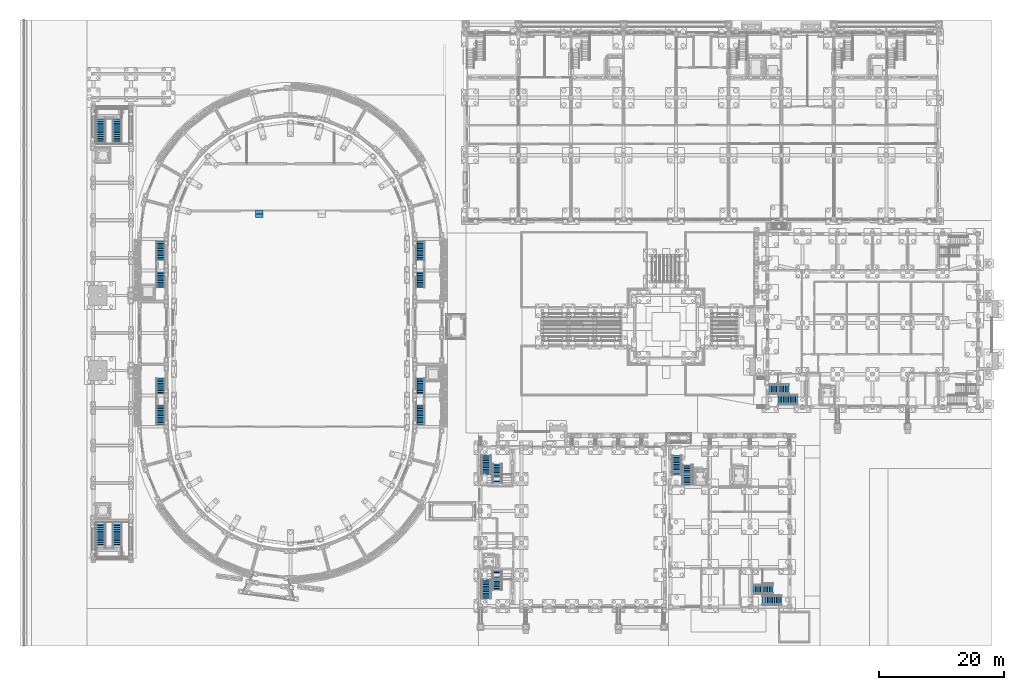
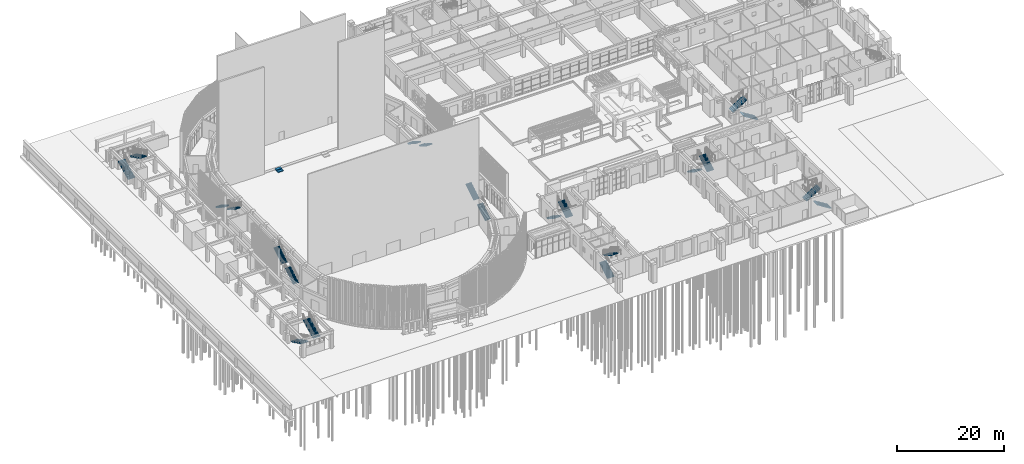
# One storey, part 79 of 112: 23 stair flights, 12 elements without a shape of their own.
"""IFC4 building model written with IfcOpenShell, lengths in metres."""

from ifc_helpers import new_model, si_unit, direction, frame, origin, place, context, subcontext, project, spatial, polyline, outline, extrude, material, type_object, element, aggregate, save


model = new_model("IFC4")

# Units and contexts
model_context = context("Model", 3, precision=1e-05, world=origin(), true_north=direction((0.0, 1.0)))
body_context = subcontext(model_context, "Body", "Model", "MODEL_VIEW")
ifc_project = project(units=[si_unit("LENGTHUNIT", "METRE"), si_unit("AREAUNIT", "SQUARE_METRE"), si_unit("VOLUMEUNIT", "CUBIC_METRE"), si_unit("PLANEANGLEUNIT", "RADIAN"), si_unit("MASSUNIT", "GRAM", prefix="KILO")], contexts=[model_context])

# Site, building, storey
site_placement = place(None, origin())
site = spatial("IfcSite", under=ifc_project, at=site_placement, CompositionType="ELEMENT")
building_placement = place(site_placement, origin())
building = spatial("IfcBuilding", under=site, at=building_placement, Name="Wasatch Bagh Community Centre", CompositionType="ELEMENT")
storey_placement = place(building_placement, origin())
storey = spatial("IfcBuildingStorey", under=building, at=storey_placement, Name="L00", CompositionType="ELEMENT", Elevation=0.0)

# Stair, stair flights
ifc_material = material(Name="Concrete C35", Category="concrete")
stair_type_1 = type_object("IfcStairType", Name="CT-ST1", PredefinedType="HALF_TURN_STAIR", material=ifc_material)
stair_1_placement = place(storey_placement, origin())
stair_1 = element("IfcStair", 1, at=stair_1_placement, inside=storey, type_object=stair_type_1, Name="CS1 stair", PredefinedType="HALF_TURN_STAIR")
stair_flight_type_1 = type_object("IfcStairFlightType", Name="CT-SF1", PredefinedType="STRAIGHT", material=ifc_material)
stair_flight_1_placement = place(storey_placement, frame((5.699951171875, 19.5, 0.0), z_axis=(0.0, 0.0, 1.0), x_axis=(0.0, -1.0, 0.0)))
stair_flight_1 = element("IfcStairFlight", 2, at=stair_flight_1_placement, type_object=stair_flight_type_1, Name="CS1 flight 1", NumberOfRisers=14, NumberOfTreads=13, PredefinedType="STRAIGHT", RiserHeight=0.15, TreadLength=0.3, context=body_context, shape_type="SweptSolid", body=[
    extrude(outline(polyline([(0.0, 0.0), (0.0, 0.14990234375), (0.300048828125, 0.14990234375), (0.300048828125, 0.300048828125), (0.60009765625, 0.300048828125), (0.60009765625, 0.449951171875), (0.89990234375, 0.449951171875), (0.89990234375, 0.60009765625), (1.199951171875, 0.60009765625), (1.199951171875, 0.75), (1.5, 0.75), (1.5, 0.89990234375), (1.800048828125, 0.89990234375), (1.800048828125, 1.050048828125), (2.10009765625, 1.050048828125), (2.10009765625, 1.199951171875), (2.39990234375, 1.199951171875), (2.39990234375, 1.35009765625), (2.699951171875, 1.35009765625), (2.699951171875, 1.5), (3.0, 1.5), (3.0, 1.64990234375), (3.300048828125, 1.64990234375), (3.300048828125, 1.800048828125), (3.60009765625, 1.800048828125), (3.60009765625, 1.949951171875), (3.89990234375, 1.949951171875), (3.89990234375, 2.10009765625), (3.89990234375, 1.782470703125), (0.335205078125, 0.0), (0.0, 0.0)])), frame((0.0, 0.75, 0.0), z_axis=(0.0, -1.0, 0.0), x_axis=(1.0, 0.0, 0.0)), (0.0, 0.0, 1.0), 1.5),
])
stair_flight_2_placement = place(storey_placement, frame((8.300048828125, 15.60009765625, 2.10009765625), z_axis=(0.0, 0.0, 1.0), x_axis=(0.0, 1.0, 0.0)))
stair_flight_2 = element("IfcStairFlight", 3, at=stair_flight_2_placement, type_object=stair_flight_type_1, Name="CS1 flight 2", NumberOfRisers=14, NumberOfTreads=13, PredefinedType="STRAIGHT", RiserHeight=0.15, TreadLength=0.3, context=body_context, shape_type="SweptSolid", body=[
    extrude(outline(polyline([(0.0, 0.0), (0.0, 0.14990234375), (0.300048828125, 0.14990234375), (0.300048828125, 0.300048828125), (0.60009765625, 0.300048828125), (0.60009765625, 0.449951171875), (0.89990234375, 0.449951171875), (0.89990234375, 0.60009765625), (1.199951171875, 0.60009765625), (1.199951171875, 0.75), (1.5, 0.75), (1.5, 0.89990234375), (1.800048828125, 0.89990234375), (1.800048828125, 1.050048828125), (2.10009765625, 1.050048828125), (2.10009765625, 1.199951171875), (2.39990234375, 1.199951171875), (2.39990234375, 1.35009765625), (2.699951171875, 1.35009765625), (2.699951171875, 1.5), (3.0, 1.5), (3.0, 1.64990234375), (3.300048828125, 1.64990234375), (3.300048828125, 1.800048828125), (3.60009765625, 1.800048828125), (3.60009765625, 1.949951171875), (3.89990234375, 1.949951171875), (3.89990234375, 2.10009765625), (3.89990234375, 1.782470703125), (0.335205078125, 0.0), (0.0, 0.0)])), frame((0.0, 0.75, 0.0), z_axis=(0.0, -1.0, 0.0), x_axis=(1.0, 0.0, 0.0)), (0.0, 0.0, 1.0), 1.5),
])
aggregate(stair_1, [stair_flight_1, stair_flight_2])

stair_2_placement = place(storey_placement, origin())
stair_2 = element("IfcStair", 4, at=stair_2_placement, inside=storey, type_object=stair_type_1, Name="CS2 stair", PredefinedType="HALF_TURN_STAIR")
stair_flight_3_placement = place(storey_placement, frame((5.699951171875, 80.5, 0.0), z_axis=(0.0, 0.0, 1.0), x_axis=(0.0, 1.0, 0.0)))
stair_flight_3 = element("IfcStairFlight", 5, at=stair_flight_3_placement, type_object=stair_flight_type_1, Name="CS2 flight 1", NumberOfRisers=14, NumberOfTreads=13, PredefinedType="STRAIGHT", RiserHeight=0.15, TreadLength=0.3, context=body_context, shape_type="SweptSolid", body=[
    extrude(outline(polyline([(0.0, 0.0), (0.0, 0.14990234375), (0.300048828125, 0.14990234375), (0.300048828125, 0.300048828125), (0.60009765625, 0.300048828125), (0.60009765625, 0.449951171875), (0.89990234375, 0.449951171875), (0.89990234375, 0.60009765625), (1.199951171875, 0.60009765625), (1.199951171875, 0.75), (1.5, 0.75), (1.5, 0.89990234375), (1.800048828125, 0.89990234375), (1.800048828125, 1.050048828125), (2.10009765625, 1.050048828125), (2.10009765625, 1.199951171875), (2.39990234375, 1.199951171875), (2.39990234375, 1.35009765625), (2.699951171875, 1.35009765625), (2.699951171875, 1.5), (3.0, 1.5), (3.0, 1.64990234375), (3.300048828125, 1.64990234375), (3.300048828125, 1.800048828125), (3.60009765625, 1.800048828125), (3.60009765625, 1.949951171875), (3.89990234375, 1.949951171875), (3.89990234375, 2.10009765625), (3.89990234375, 1.782470703125), (0.335205078125, 0.0), (0.0, 0.0)])), frame((0.0, 0.75, 0.0), z_axis=(0.0, -1.0, 0.0), x_axis=(1.0, 0.0, 0.0)), (0.0, 0.0, 1.0), 1.5),
])
stair_flight_4_placement = place(storey_placement, frame((8.300048828125, 84.39990234375, 2.10009765625), z_axis=(0.0, 0.0, 1.0), x_axis=(0.0, -1.0, 0.0)))
stair_flight_4 = element("IfcStairFlight", 6, at=stair_flight_4_placement, type_object=stair_flight_type_1, Name="CS2 flight 2", NumberOfRisers=14, NumberOfTreads=13, PredefinedType="STRAIGHT", RiserHeight=0.15, TreadLength=0.3, context=body_context, shape_type="SweptSolid", body=[
    extrude(outline(polyline([(0.0, 0.0), (0.0, 0.14990234375), (0.300048828125, 0.14990234375), (0.300048828125, 0.300048828125), (0.60009765625, 0.300048828125), (0.60009765625, 0.449951171875), (0.89990234375, 0.449951171875), (0.89990234375, 0.60009765625), (1.199951171875, 0.60009765625), (1.199951171875, 0.75), (1.5, 0.75), (1.5, 0.89990234375), (1.800048828125, 0.89990234375), (1.800048828125, 1.050048828125), (2.10009765625, 1.050048828125), (2.10009765625, 1.199951171875), (2.39990234375, 1.199951171875), (2.39990234375, 1.35009765625), (2.699951171875, 1.35009765625), (2.699951171875, 1.5), (3.0, 1.5), (3.0, 1.64990234375), (3.300048828125, 1.64990234375), (3.300048828125, 1.800048828125), (3.60009765625, 1.800048828125), (3.60009765625, 1.949951171875), (3.89990234375, 1.949951171875), (3.89990234375, 2.10009765625), (3.89990234375, 1.782470703125), (0.335205078125, 0.0), (0.0, 0.0)])), frame((0.0, 0.75, 0.0), z_axis=(0.0, -1.0, 0.0), x_axis=(1.0, 0.0, 0.0)), (0.0, 0.0, 1.0), 1.5),
])
aggregate(stair_2, [stair_flight_3, stair_flight_4])

stair_type_2 = type_object("IfcStairType", Name="DH stair 1500", PredefinedType="HALF_TURN_STAIR", material=ifc_material)
stair_3_placement = place(storey_placement, origin())
stair_3 = element("IfcStair", 7, at=stair_3_placement, inside=storey, type_object=stair_type_2, Name="ST6 stair", PredefinedType="HALF_TURN_STAIR")
stair_flight_type_2 = type_object("IfcStairFlightType", Name="DH flight 1500", PredefinedType="STRAIGHT", material=ifc_material)
stair_flight_5_placement = place(storey_placement, frame((67.300048828125, 7.550048828125, 0.0), z_axis=(0.0, 0.0, 1.0), x_axis=(0.0, 1.0, 0.0)))
stair_flight_5 = element("IfcStairFlight", 8, at=stair_flight_5_placement, type_object=stair_flight_type_2, Name="ST6 flight 1", NumberOfRisers=12, NumberOfTreads=11, PredefinedType="STRAIGHT", RiserHeight=0.175, TreadLength=0.28, context=body_context, shape_type="SweptSolid", body=[
    extrude(outline(polyline([(0.0, 0.0), (0.0, 0.175048828125), (0.280029296875, 0.175048828125), (0.280029296875, 0.35009765625), (0.56005859375, 0.35009765625), (0.56005859375, 0.52490234375), (0.840087890625, 0.52490234375), (0.840087890625, 0.699951171875), (1.1201171875, 0.699951171875), (1.1201171875, 0.875), (1.39990234375, 0.875), (1.39990234375, 1.050048828125), (1.679931640625, 1.050048828125), (1.679931640625, 1.22509765625), (1.9599609375, 1.22509765625), (1.9599609375, 1.39990234375), (2.239990234375, 1.39990234375), (2.239990234375, 1.574951171875), (2.52001953125, 1.574951171875), (2.52001953125, 1.75), (2.800048828125, 1.75), (2.800048828125, 1.925048828125), (3.080078125, 1.925048828125), (3.080078125, 2.10009765625), (3.080078125, 1.748291015625), (0.28271484375, 0.0), (0.0, 0.0)])), frame((0.0, 0.75, 0.0), z_axis=(0.0, -1.0, 0.0), x_axis=(1.0, 0.0, 0.0)), (0.0, 0.0, 1.0), 1.5),
])
stair_flight_6_placement = place(storey_placement, frame((69.0, 12.0, 2.10009765625), z_axis=(0.0, 0.0, 1.0), x_axis=(0.0, -1.0, 0.0)))
stair_flight_6 = element("IfcStairFlight", 9, at=stair_flight_6_placement, type_object=stair_flight_type_2, Name="ST6 flight 2", NumberOfRisers=12, NumberOfTreads=11, PredefinedType="STRAIGHT", RiserHeight=0.175, TreadLength=0.28, context=body_context, shape_type="SweptSolid", body=[
    extrude(outline(polyline([(0.0, 0.0), (0.0, 0.175048828125), (0.280029296875, 0.175048828125), (0.280029296875, 0.35009765625), (0.56005859375, 0.35009765625), (0.56005859375, 0.52490234375), (0.840087890625, 0.52490234375), (0.840087890625, 0.699951171875), (1.1201171875, 0.699951171875), (1.1201171875, 0.875), (1.39990234375, 0.875), (1.39990234375, 1.050048828125), (1.679931640625, 1.050048828125), (1.679931640625, 1.22509765625), (1.9599609375, 1.22509765625), (1.9599609375, 1.39990234375), (2.239990234375, 1.39990234375), (2.239990234375, 1.574951171875), (2.52001953125, 1.574951171875), (2.52001953125, 1.75), (2.800048828125, 1.75), (2.800048828125, 1.925048828125), (3.080078125, 1.925048828125), (3.080078125, 2.10009765625), (3.080078125, 1.748291015625), (0.28271484375, 0.0), (0.0, 0.0)])), frame((0.0, 0.75, 0.0), z_axis=(0.0, -1.0, 0.0), x_axis=(1.0, 0.0, 0.0)), (0.0, 0.0, 1.0), 1.5),
])
aggregate(stair_3, [stair_flight_5, stair_flight_6])

stair_4_placement = place(storey_placement, origin())
stair_4 = element("IfcStair", 10, at=stair_4_placement, inside=storey, type_object=stair_type_2, Name="ST7 stair", PredefinedType="HALF_TURN_STAIR")
stair_flight_7_placement = place(storey_placement, frame((67.300048828125, 30.449951171875, 0.0), z_axis=(0.0, 0.0, 1.0), x_axis=(0.0, -1.0, 0.0)))
stair_flight_7 = element("IfcStairFlight", 11, at=stair_flight_7_placement, type_object=stair_flight_type_2, Name="ST7 flight 1", NumberOfRisers=12, NumberOfTreads=11, PredefinedType="STRAIGHT", RiserHeight=0.175, TreadLength=0.28, context=body_context, shape_type="SweptSolid", body=[
    extrude(outline(polyline([(0.0, 0.0), (0.0, 0.175048828125), (0.280029296875, 0.175048828125), (0.280029296875, 0.35009765625), (0.56005859375, 0.35009765625), (0.56005859375, 0.52490234375), (0.840087890625, 0.52490234375), (0.840087890625, 0.699951171875), (1.1201171875, 0.699951171875), (1.1201171875, 0.875), (1.39990234375, 0.875), (1.39990234375, 1.050048828125), (1.679931640625, 1.050048828125), (1.679931640625, 1.22509765625), (1.9599609375, 1.22509765625), (1.9599609375, 1.39990234375), (2.239990234375, 1.39990234375), (2.239990234375, 1.574951171875), (2.52001953125, 1.574951171875), (2.52001953125, 1.75), (2.800048828125, 1.75), (2.800048828125, 1.925048828125), (3.080078125, 1.925048828125), (3.080078125, 2.10009765625), (3.080078125, 1.748291015625), (0.28271484375, 0.0), (0.0, 0.0)])), frame((0.0, 0.75, 0.0), z_axis=(0.0, -1.0, 0.0), x_axis=(1.0, 0.0, 0.0)), (0.0, 0.0, 1.0), 1.5),
])
stair_flight_8_placement = place(storey_placement, frame((69.0, 26.0, 2.10009765625), z_axis=(0.0, 0.0, 1.0), x_axis=(0.0, 1.0, 0.0)))
stair_flight_8 = element("IfcStairFlight", 12, at=stair_flight_8_placement, type_object=stair_flight_type_2, Name="ST7 flight 2", NumberOfRisers=12, NumberOfTreads=11, PredefinedType="STRAIGHT", RiserHeight=0.175, TreadLength=0.28, context=body_context, shape_type="SweptSolid", body=[
    extrude(outline(polyline([(0.0, 0.0), (0.0, 0.175048828125), (0.280029296875, 0.175048828125), (0.280029296875, 0.35009765625), (0.56005859375, 0.35009765625), (0.56005859375, 0.52490234375), (0.840087890625, 0.52490234375), (0.840087890625, 0.699951171875), (1.1201171875, 0.699951171875), (1.1201171875, 0.875), (1.39990234375, 0.875), (1.39990234375, 1.050048828125), (1.679931640625, 1.050048828125), (1.679931640625, 1.22509765625), (1.9599609375, 1.22509765625), (1.9599609375, 1.39990234375), (2.239990234375, 1.39990234375), (2.239990234375, 1.574951171875), (2.52001953125, 1.574951171875), (2.52001953125, 1.75), (2.800048828125, 1.75), (2.800048828125, 1.925048828125), (3.080078125, 1.925048828125), (3.080078125, 2.10009765625), (3.080078125, 1.748291015625), (0.28271484375, 0.0), (0.0, 0.0)])), frame((0.0, 0.75, 0.0), z_axis=(0.0, -1.0, 0.0), x_axis=(1.0, 0.0, 0.0)), (0.0, 0.0, 1.0), 1.5),
])
aggregate(stair_4, [stair_flight_7, stair_flight_8])

stair_type_3 = type_object("IfcStairType", Name="Drum stair 175 x 280", PredefinedType="STRAIGHT_RUN_STAIR", material=ifc_material)
stair_5_placement = place(storey_placement, origin())
stair_5 = element("IfcStair", 13, at=stair_5_placement, inside=storey, type_object=stair_type_3, Name="Stair SW0", PredefinedType="STRAIGHT_RUN_STAIR")
stair_flight_type_3 = type_object("IfcStairFlightType", Name="Drum stair flight 175 x 280", PredefinedType="STRAIGHT", material=ifc_material)
stair_flight_9_placement = place(storey_placement, frame((15.22509765625, 35.39990234375, 0.0), z_axis=(0.0, 0.0, 1.0), x_axis=(0.0, 1.0, 0.0)))
stair_flight_9 = element("IfcStairFlight", 14, at=stair_flight_9_placement, type_object=stair_flight_type_3, Name="FST1 flight 1", NumberOfRisers=12, NumberOfTreads=11, PredefinedType="STRAIGHT", RiserHeight=0.175, TreadLength=0.28, context=body_context, shape_type="SweptSolid", body=[
    extrude(outline(polyline([(0.0, 0.0), (0.0, 0.175048828125), (0.280029296875, 0.175048828125), (0.280029296875, 0.35009765625), (0.56005859375, 0.35009765625), (0.56005859375, 0.52490234375), (0.840087890625, 0.52490234375), (0.840087890625, 0.699951171875), (1.1201171875, 0.699951171875), (1.1201171875, 0.875), (1.39990234375, 0.875), (1.39990234375, 1.050048828125), (1.679931640625, 1.050048828125), (1.679931640625, 1.22509765625), (1.9599609375, 1.22509765625), (1.9599609375, 1.39990234375), (2.239990234375, 1.39990234375), (2.239990234375, 1.574951171875), (2.52001953125, 1.574951171875), (2.52001953125, 1.75), (2.800048828125, 1.75), (2.800048828125, 1.925048828125), (3.080078125, 1.925048828125), (3.080078125, 2.10009765625), (3.080078125, 1.748291015625), (0.28271484375, 0.0), (0.0, 0.0)])), frame((0.0, 0.60009765625, 0.0), z_axis=(0.0, -1.0, 0.0), x_axis=(1.0, 0.0, 0.0)), (0.0, 0.0, 1.0), 1.199951171875),
])
stair_flight_10_placement = place(storey_placement, frame((15.22509765625, 39.679931640625, 2.10009765625), z_axis=(0.0, 0.0, 1.0), x_axis=(0.0, 1.0, 0.0)))
stair_flight_10 = element("IfcStairFlight", 15, at=stair_flight_10_placement, type_object=stair_flight_type_3, Name="FST1 flight 2", NumberOfRisers=12, NumberOfTreads=11, PredefinedType="STRAIGHT", RiserHeight=0.175, TreadLength=0.28, context=body_context, shape_type="SweptSolid", body=[
    extrude(outline(polyline([(0.0, 0.0), (0.0, 0.175048828125), (0.280029296875, 0.175048828125), (0.280029296875, 0.35009765625), (0.56005859375, 0.35009765625), (0.56005859375, 0.52490234375), (0.840087890625, 0.52490234375), (0.840087890625, 0.699951171875), (1.1201171875, 0.699951171875), (1.1201171875, 0.875), (1.39990234375, 0.875), (1.39990234375, 1.050048828125), (1.679931640625, 1.050048828125), (1.679931640625, 1.22509765625), (1.9599609375, 1.22509765625), (1.9599609375, 1.39990234375), (2.239990234375, 1.39990234375), (2.239990234375, 1.574951171875), (2.52001953125, 1.574951171875), (2.52001953125, 1.75), (2.800048828125, 1.75), (2.800048828125, 1.925048828125), (3.080078125, 1.925048828125), (3.080078125, 2.10009765625), (3.080078125, 1.748291015625), (0.28271484375, 0.0), (0.0, 0.0)])), frame((0.0, 0.60009765625, 0.0), z_axis=(0.0, -1.0, 0.0), x_axis=(1.0, 0.0, 0.0)), (0.0, 0.0, 1.0), 1.199951171875),
])
aggregate(stair_5, [stair_flight_9, stair_flight_10])

stair_6_placement = place(storey_placement, origin())
stair_6 = element("IfcStair", 16, at=stair_6_placement, inside=storey, type_object=stair_type_3, Name="Stair SE0", PredefinedType="STRAIGHT_RUN_STAIR")
stair_flight_11_placement = place(storey_placement, frame((56.77490234375, 35.39990234375, 0.0), z_axis=(0.0, 0.0, 1.0), x_axis=(0.0, 1.0, 0.0)))
stair_flight_11 = element("IfcStairFlight", 17, at=stair_flight_11_placement, type_object=stair_flight_type_3, Name="FST2 flight 1", NumberOfRisers=12, NumberOfTreads=11, PredefinedType="STRAIGHT", RiserHeight=0.175, TreadLength=0.28, context=body_context, shape_type="SweptSolid", body=[
    extrude(outline(polyline([(0.0, 0.0), (0.0, 0.175048828125), (0.280029296875, 0.175048828125), (0.280029296875, 0.35009765625), (0.56005859375, 0.35009765625), (0.56005859375, 0.52490234375), (0.840087890625, 0.52490234375), (0.840087890625, 0.699951171875), (1.1201171875, 0.699951171875), (1.1201171875, 0.875), (1.39990234375, 0.875), (1.39990234375, 1.050048828125), (1.679931640625, 1.050048828125), (1.679931640625, 1.22509765625), (1.9599609375, 1.22509765625), (1.9599609375, 1.39990234375), (2.239990234375, 1.39990234375), (2.239990234375, 1.574951171875), (2.52001953125, 1.574951171875), (2.52001953125, 1.75), (2.800048828125, 1.75), (2.800048828125, 1.925048828125), (3.080078125, 1.925048828125), (3.080078125, 2.10009765625), (3.080078125, 1.748291015625), (0.28271484375, 0.0), (0.0, 0.0)])), frame((0.0, 0.60009765625, 0.0), z_axis=(0.0, -1.0, 0.0), x_axis=(1.0, 0.0, 0.0)), (0.0, 0.0, 1.0), 1.199951171875),
])
stair_flight_12_placement = place(storey_placement, frame((56.77490234375, 39.679931640625, 2.10009765625), z_axis=(0.0, 0.0, 1.0), x_axis=(0.0, 1.0, 0.0)))
stair_flight_12 = element("IfcStairFlight", 18, at=stair_flight_12_placement, type_object=stair_flight_type_3, Name="FST2 flight 2", NumberOfRisers=12, NumberOfTreads=11, PredefinedType="STRAIGHT", RiserHeight=0.175, TreadLength=0.28, context=body_context, shape_type="SweptSolid", body=[
    extrude(outline(polyline([(0.0, 0.0), (0.0, 0.175048828125), (0.280029296875, 0.175048828125), (0.280029296875, 0.35009765625), (0.56005859375, 0.35009765625), (0.56005859375, 0.52490234375), (0.840087890625, 0.52490234375), (0.840087890625, 0.699951171875), (1.1201171875, 0.699951171875), (1.1201171875, 0.875), (1.39990234375, 0.875), (1.39990234375, 1.050048828125), (1.679931640625, 1.050048828125), (1.679931640625, 1.22509765625), (1.9599609375, 1.22509765625), (1.9599609375, 1.39990234375), (2.239990234375, 1.39990234375), (2.239990234375, 1.574951171875), (2.52001953125, 1.574951171875), (2.52001953125, 1.75), (2.800048828125, 1.75), (2.800048828125, 1.925048828125), (3.080078125, 1.925048828125), (3.080078125, 2.10009765625), (3.080078125, 1.748291015625), (0.28271484375, 0.0), (0.0, 0.0)])), frame((0.0, 0.60009765625, 0.0), z_axis=(0.0, -1.0, 0.0), x_axis=(1.0, 0.0, 0.0)), (0.0, 0.0, 1.0), 1.199951171875),
])
aggregate(stair_6, [stair_flight_11, stair_flight_12])

stair_7_placement = place(storey_placement, origin())
stair_7 = element("IfcStair", 19, at=stair_7_placement, inside=storey, type_object=stair_type_3, Name="Stair NE0", PredefinedType="STRAIGHT_RUN_STAIR")
stair_flight_13_placement = place(storey_placement, frame((56.77490234375, 64.60009765625, 0.0), z_axis=(0.0, 0.0, 1.0), x_axis=(0.0, -1.0, 0.0)))
stair_flight_13 = element("IfcStairFlight", 20, at=stair_flight_13_placement, type_object=stair_flight_type_3, Name="FST4 flight 1", NumberOfRisers=12, NumberOfTreads=11, PredefinedType="STRAIGHT", RiserHeight=0.175, TreadLength=0.28, context=body_context, shape_type="SweptSolid", body=[
    extrude(outline(polyline([(0.0, 0.0), (0.0, 0.175048828125), (0.280029296875, 0.175048828125), (0.280029296875, 0.35009765625), (0.56005859375, 0.35009765625), (0.56005859375, 0.52490234375), (0.840087890625, 0.52490234375), (0.840087890625, 0.699951171875), (1.1201171875, 0.699951171875), (1.1201171875, 0.875), (1.39990234375, 0.875), (1.39990234375, 1.050048828125), (1.679931640625, 1.050048828125), (1.679931640625, 1.22509765625), (1.9599609375, 1.22509765625), (1.9599609375, 1.39990234375), (2.239990234375, 1.39990234375), (2.239990234375, 1.574951171875), (2.52001953125, 1.574951171875), (2.52001953125, 1.75), (2.800048828125, 1.75), (2.800048828125, 1.925048828125), (3.080078125, 1.925048828125), (3.080078125, 2.10009765625), (3.080078125, 1.748291015625), (0.28271484375, 0.0), (0.0, 0.0)])), frame((0.0, 0.60009765625, 0.0), z_axis=(0.0, -1.0, 0.0), x_axis=(1.0, 0.0, 0.0)), (0.0, 0.0, 1.0), 1.199951171875),
])
stair_flight_14_placement = place(storey_placement, frame((56.77490234375, 60.320068359375, 2.10009765625), z_axis=(0.0, 0.0, 1.0), x_axis=(0.0, -1.0, 0.0)))
stair_flight_14 = element("IfcStairFlight", 21, at=stair_flight_14_placement, type_object=stair_flight_type_3, Name="FST4 flight 2", NumberOfRisers=12, NumberOfTreads=11, PredefinedType="STRAIGHT", RiserHeight=0.175, TreadLength=0.28, context=body_context, shape_type="SweptSolid", body=[
    extrude(outline(polyline([(0.0, 0.0), (0.0, 0.175048828125), (0.280029296875, 0.175048828125), (0.280029296875, 0.35009765625), (0.56005859375, 0.35009765625), (0.56005859375, 0.52490234375), (0.840087890625, 0.52490234375), (0.840087890625, 0.699951171875), (1.1201171875, 0.699951171875), (1.1201171875, 0.875), (1.39990234375, 0.875), (1.39990234375, 1.050048828125), (1.679931640625, 1.050048828125), (1.679931640625, 1.22509765625), (1.9599609375, 1.22509765625), (1.9599609375, 1.39990234375), (2.239990234375, 1.39990234375), (2.239990234375, 1.574951171875), (2.52001953125, 1.574951171875), (2.52001953125, 1.75), (2.800048828125, 1.75), (2.800048828125, 1.925048828125), (3.080078125, 1.925048828125), (3.080078125, 2.10009765625), (3.080078125, 1.748291015625), (0.28271484375, 0.0), (0.0, 0.0)])), frame((0.0, 0.60009765625, 0.0), z_axis=(0.0, -1.0, 0.0), x_axis=(1.0, 0.0, 0.0)), (0.0, 0.0, 1.0), 1.199951171875),
])
aggregate(stair_7, [stair_flight_13, stair_flight_14])

stair_8_placement = place(storey_placement, origin())
stair_8 = element("IfcStair", 22, at=stair_8_placement, inside=storey, type_object=stair_type_3, Name="Stair NW0", PredefinedType="STRAIGHT_RUN_STAIR")
stair_flight_15_placement = place(storey_placement, frame((15.22509765625, 64.60009765625, 0.0), z_axis=(0.0, 0.0, 1.0), x_axis=(0.0, -1.0, 0.0)))
stair_flight_15 = element("IfcStairFlight", 23, at=stair_flight_15_placement, type_object=stair_flight_type_3, Name="FST5 flight 1", NumberOfRisers=12, NumberOfTreads=11, PredefinedType="STRAIGHT", RiserHeight=0.175, TreadLength=0.28, context=body_context, shape_type="SweptSolid", body=[
    extrude(outline(polyline([(0.0, 0.0), (0.0, 0.175048828125), (0.280029296875, 0.175048828125), (0.280029296875, 0.35009765625), (0.56005859375, 0.35009765625), (0.56005859375, 0.52490234375), (0.840087890625, 0.52490234375), (0.840087890625, 0.699951171875), (1.1201171875, 0.699951171875), (1.1201171875, 0.875), (1.39990234375, 0.875), (1.39990234375, 1.050048828125), (1.679931640625, 1.050048828125), (1.679931640625, 1.22509765625), (1.9599609375, 1.22509765625), (1.9599609375, 1.39990234375), (2.239990234375, 1.39990234375), (2.239990234375, 1.574951171875), (2.52001953125, 1.574951171875), (2.52001953125, 1.75), (2.800048828125, 1.75), (2.800048828125, 1.925048828125), (3.080078125, 1.925048828125), (3.080078125, 2.10009765625), (3.080078125, 1.748291015625), (0.28271484375, 0.0), (0.0, 0.0)])), frame((0.0, 0.60009765625, 0.0), z_axis=(0.0, -1.0, 0.0), x_axis=(1.0, 0.0, 0.0)), (0.0, 0.0, 1.0), 1.199951171875),
])
stair_flight_16_placement = place(storey_placement, frame((15.22509765625, 60.320068359375, 2.10009765625), z_axis=(0.0, 0.0, 1.0), x_axis=(0.0, -1.0, 0.0)))
stair_flight_16 = element("IfcStairFlight", 24, at=stair_flight_16_placement, type_object=stair_flight_type_3, Name="FST5 flight 2", NumberOfRisers=12, NumberOfTreads=11, PredefinedType="STRAIGHT", RiserHeight=0.175, TreadLength=0.28, context=body_context, shape_type="SweptSolid", body=[
    extrude(outline(polyline([(0.0, 0.0), (0.0, 0.175048828125), (0.280029296875, 0.175048828125), (0.280029296875, 0.35009765625), (0.56005859375, 0.35009765625), (0.56005859375, 0.52490234375), (0.840087890625, 0.52490234375), (0.840087890625, 0.699951171875), (1.1201171875, 0.699951171875), (1.1201171875, 0.875), (1.39990234375, 0.875), (1.39990234375, 1.050048828125), (1.679931640625, 1.050048828125), (1.679931640625, 1.22509765625), (1.9599609375, 1.22509765625), (1.9599609375, 1.39990234375), (2.239990234375, 1.39990234375), (2.239990234375, 1.574951171875), (2.52001953125, 1.574951171875), (2.52001953125, 1.75), (2.800048828125, 1.75), (2.800048828125, 1.925048828125), (3.080078125, 1.925048828125), (3.080078125, 2.10009765625), (3.080078125, 1.748291015625), (0.28271484375, 0.0), (0.0, 0.0)])), frame((0.0, 0.60009765625, 0.0), z_axis=(0.0, -1.0, 0.0), x_axis=(1.0, 0.0, 0.0)), (0.0, 0.0, 1.0), 1.199951171875),
])
aggregate(stair_8, [stair_flight_15, stair_flight_16])

stair_type_4 = type_object("IfcStairType", Name="KW stair 1500", PredefinedType="HALF_TURN_STAIR", material=ifc_material)
stair_9_placement = place(storey_placement, origin())
stair_9 = element("IfcStair", 25, at=stair_9_placement, inside=storey, type_object=stair_type_4, Name="ST4 stair", PredefinedType="HALF_TURN_STAIR")
stair_flight_type_4 = type_object("IfcStairFlightType", Name="KW flight 1500", PredefinedType="STRAIGHT", material=ifc_material)
stair_flight_17_placement = place(storey_placement, frame((97.699951171875, 30.39990234375, 0.0), z_axis=(0.0, 0.0, 1.0), x_axis=(0.0, -1.0, 0.0)))
stair_flight_17 = element("IfcStairFlight", 26, at=stair_flight_17_placement, type_object=stair_flight_type_4, Name="ST4 flight 1", NumberOfRisers=12, NumberOfTreads=11, PredefinedType="STRAIGHT", RiserHeight=0.175, TreadLength=0.28, context=body_context, shape_type="SweptSolid", body=[
    extrude(outline(polyline([(0.0, 0.0), (0.0, 0.175048828125), (0.280029296875, 0.175048828125), (0.280029296875, 0.35009765625), (0.56005859375, 0.35009765625), (0.56005859375, 0.52490234375), (0.840087890625, 0.52490234375), (0.840087890625, 0.699951171875), (1.1201171875, 0.699951171875), (1.1201171875, 0.875), (1.39990234375, 0.875), (1.39990234375, 1.050048828125), (1.679931640625, 1.050048828125), (1.679931640625, 1.22509765625), (1.9599609375, 1.22509765625), (1.9599609375, 1.39990234375), (2.239990234375, 1.39990234375), (2.239990234375, 1.574951171875), (2.52001953125, 1.574951171875), (2.52001953125, 1.75), (2.800048828125, 1.75), (2.800048828125, 1.925048828125), (3.080078125, 1.925048828125), (3.080078125, 2.10009765625), (3.080078125, 1.748291015625), (0.28271484375, 0.0), (0.0, 0.0)])), frame((0.0, 0.75, 0.0), z_axis=(0.0, -1.0, 0.0), x_axis=(1.0, 0.0, 0.0)), (0.0, 0.0, 1.0), 1.5),
])
stair_flight_18_placement = place(storey_placement, frame((99.39990234375, 25.800048828125, 2.10009765625), z_axis=(0.0, 0.0, 1.0), x_axis=(0.0, 1.0, 0.0)))
stair_flight_18 = element("IfcStairFlight", 27, at=stair_flight_18_placement, type_object=stair_flight_type_4, Name="ST4 flight 2", NumberOfRisers=12, NumberOfTreads=11, PredefinedType="STRAIGHT", RiserHeight=0.175, TreadLength=0.28, context=body_context, shape_type="SweptSolid", body=[
    extrude(outline(polyline([(0.0, 0.0), (0.0, 0.175048828125), (0.280029296875, 0.175048828125), (0.280029296875, 0.35009765625), (0.56005859375, 0.35009765625), (0.56005859375, 0.52490234375), (0.840087890625, 0.52490234375), (0.840087890625, 0.699951171875), (1.1201171875, 0.699951171875), (1.1201171875, 0.875), (1.39990234375, 0.875), (1.39990234375, 1.050048828125), (1.679931640625, 1.050048828125), (1.679931640625, 1.22509765625), (1.9599609375, 1.22509765625), (1.9599609375, 1.39990234375), (2.239990234375, 1.39990234375), (2.239990234375, 1.574951171875), (2.52001953125, 1.574951171875), (2.52001953125, 1.75), (2.800048828125, 1.75), (2.800048828125, 1.925048828125), (3.080078125, 1.925048828125), (3.080078125, 2.10009765625), (3.080078125, 1.748291015625), (0.28271484375, 0.0), (0.0, 0.0)])), frame((0.0, 0.75, 0.0), z_axis=(0.0, -1.0, 0.0), x_axis=(1.0, 0.0, 0.0)), (0.0, 0.0, 1.0), 1.5),
])
aggregate(stair_9, [stair_flight_17, stair_flight_18])

stair_10_placement = place(storey_placement, origin())
stair_10 = element("IfcStair", 28, at=stair_10_placement, inside=storey, type_object=stair_type_4, Name="ST5 stair", PredefinedType="HALF_TURN_STAIR")
stair_flight_19_placement = place(storey_placement, frame((114.449951171875, 7.300048828125, 0.0), z_axis=(0.0, 0.0, 1.0), x_axis=(-1.0, 0.0, 0.0)))
stair_flight_19 = element("IfcStairFlight", 29, at=stair_flight_19_placement, type_object=stair_flight_type_4, Name="ST5 flight 1", NumberOfRisers=12, NumberOfTreads=11, PredefinedType="STRAIGHT", RiserHeight=0.175, TreadLength=0.28, context=body_context, shape_type="SweptSolid", body=[
    extrude(outline(polyline([(0.0, 0.0), (0.0, 0.175048828125), (0.280029296875, 0.175048828125), (0.280029296875, 0.35009765625), (0.56005859375, 0.35009765625), (0.56005859375, 0.52490234375), (0.840087890625, 0.52490234375), (0.840087890625, 0.699951171875), (1.1201171875, 0.699951171875), (1.1201171875, 0.875), (1.39990234375, 0.875), (1.39990234375, 1.050048828125), (1.679931640625, 1.050048828125), (1.679931640625, 1.22509765625), (1.9599609375, 1.22509765625), (1.9599609375, 1.39990234375), (2.239990234375, 1.39990234375), (2.239990234375, 1.574951171875), (2.52001953125, 1.574951171875), (2.52001953125, 1.75), (2.800048828125, 1.75), (2.800048828125, 1.925048828125), (3.080078125, 1.925048828125), (3.080078125, 2.10009765625), (3.080078125, 1.748291015625), (0.28271484375, 0.0), (0.0, 0.0)])), frame((0.0, 0.75, 0.0), z_axis=(0.0, -1.0, 0.0), x_axis=(1.0, 0.0, 0.0)), (0.0, 0.0, 1.0), 1.5),
])
stair_flight_20_placement = place(storey_placement, frame((110.0, 9.0, 2.10009765625), z_axis=(0.0, 0.0, 1.0), x_axis=(1.0, 0.0, 0.0)))
stair_flight_20 = element("IfcStairFlight", 30, at=stair_flight_20_placement, type_object=stair_flight_type_4, Name="ST5 flight 2", NumberOfRisers=12, NumberOfTreads=11, PredefinedType="STRAIGHT", RiserHeight=0.175, TreadLength=0.28, context=body_context, shape_type="SweptSolid", body=[
    extrude(outline(polyline([(0.0, 0.0), (0.0, 0.175048828125), (0.280029296875, 0.175048828125), (0.280029296875, 0.35009765625), (0.56005859375, 0.35009765625), (0.56005859375, 0.52490234375), (0.840087890625, 0.52490234375), (0.840087890625, 0.699951171875), (1.1201171875, 0.699951171875), (1.1201171875, 0.875), (1.39990234375, 0.875), (1.39990234375, 1.050048828125), (1.679931640625, 1.050048828125), (1.679931640625, 1.22509765625), (1.9599609375, 1.22509765625), (1.9599609375, 1.39990234375), (2.239990234375, 1.39990234375), (2.239990234375, 1.574951171875), (2.52001953125, 1.574951171875), (2.52001953125, 1.75), (2.800048828125, 1.75), (2.800048828125, 1.925048828125), (3.080078125, 1.925048828125), (3.080078125, 2.10009765625), (3.080078125, 1.748291015625), (0.28271484375, 0.0), (0.0, 0.0)])), frame((0.0, 0.75, 0.0), z_axis=(0.0, -1.0, 0.0), x_axis=(1.0, 0.0, 0.0)), (0.0, 0.0, 1.0), 1.5),
])
aggregate(stair_10, [stair_flight_19, stair_flight_20])

# Stair, stair flight
stair_type_5 = type_object("IfcStairType", Name="MH stage step", PredefinedType="STRAIGHT_RUN_STAIR", material=ifc_material)
stair_11_placement = place(storey_placement, origin())
stair_11 = element("IfcStair", 31, at=stair_11_placement, inside=storey, type_object=stair_type_5, Name="Stage steps", PredefinedType="STRAIGHT_RUN_STAIR")
stair_flight_type_5 = type_object("IfcStairFlightType", Name="MH stage step flight", PredefinedType="STRAIGHT", material=ifc_material)
stair_flight_21_placement = place(storey_placement, frame((31.0, 68.419921875, 0.0), z_axis=(0.0, 0.0, 1.0), x_axis=(0.0, 1.0, 0.0)))
stair_flight_21 = element("IfcStairFlight", 32, at=stair_flight_21_placement, type_object=stair_flight_type_5, Name="ST-M1 flight 1", NumberOfRisers=3, NumberOfTreads=2, PredefinedType="STRAIGHT", RiserHeight=0.15, TreadLength=0.6, context=body_context, shape_type="SweptSolid", body=[
    extrude(outline(polyline([(0.0, 0.0), (0.0, 0.14990234375), (0.60009765625, 0.14990234375), (0.60009765625, 0.300048828125), (1.199951171875, 0.300048828125), (1.199951171875, 0.449951171875), (1.199951171875, 0.1455078125), (0.6181640625, 0.0), (0.0, 0.0)])), frame((0.0, 0.60009765625, 0.0), z_axis=(0.0, -1.0, 0.0), x_axis=(1.0, 0.0, 0.0)), (0.0, 0.0, 1.0), 1.199951171875),
])
aggregate(stair_11, [stair_flight_21])

# Stair, stair flights
stair_type_6 = type_object("IfcStairType", Name="SH stair 1500", PredefinedType="HALF_TURN_STAIR", material=ifc_material)
stair_12_placement = place(storey_placement, origin())
stair_12 = element("IfcStair", 33, at=stair_12_placement, inside=storey, type_object=stair_type_6, Name="ST1 stair", PredefinedType="HALF_TURN_STAIR")
stair_flight_type_6 = type_object("IfcStairFlightType", Name="SH flight 1500", PredefinedType="STRAIGHT", material=ifc_material)
stair_flight_22_placement = place(storey_placement, frame((117.0, 39.300048828125, 0.0), z_axis=(0.0, 0.0, 1.0), x_axis=(-1.0, 0.0, 0.0)))
stair_flight_22 = element("IfcStairFlight", 34, at=stair_flight_22_placement, type_object=stair_flight_type_6, Name="ST1 flight 1", NumberOfRisers=12, NumberOfTreads=11, PredefinedType="STRAIGHT", RiserHeight=0.175, TreadLength=0.28, context=body_context, shape_type="SweptSolid", body=[
    extrude(outline(polyline([(0.0, 0.0), (0.0, 0.175048828125), (0.280029296875, 0.175048828125), (0.280029296875, 0.35009765625), (0.56005859375, 0.35009765625), (0.56005859375, 0.52490234375), (0.840087890625, 0.52490234375), (0.840087890625, 0.699951171875), (1.1201171875, 0.699951171875), (1.1201171875, 0.875), (1.39990234375, 0.875), (1.39990234375, 1.050048828125), (1.679931640625, 1.050048828125), (1.679931640625, 1.22509765625), (1.9599609375, 1.22509765625), (1.9599609375, 1.39990234375), (2.239990234375, 1.39990234375), (2.239990234375, 1.574951171875), (2.52001953125, 1.574951171875), (2.52001953125, 1.75), (2.800048828125, 1.75), (2.800048828125, 1.925048828125), (3.080078125, 1.925048828125), (3.080078125, 2.10009765625), (3.080078125, 1.748291015625), (0.28271484375, 0.0), (0.0, 0.0)])), frame((0.0, 0.75, 0.0), z_axis=(0.0, -1.0, 0.0), x_axis=(1.0, 0.0, 0.0)), (0.0, 0.0, 1.0), 1.5),
])
stair_flight_23_placement = place(storey_placement, frame((112.550048828125, 41.0, 2.10009765625), z_axis=(0.0, 0.0, 1.0), x_axis=(1.0, 0.0, 0.0)))
stair_flight_23 = element("IfcStairFlight", 35, at=stair_flight_23_placement, type_object=stair_flight_type_6, Name="ST1 flight 2", NumberOfRisers=12, NumberOfTreads=11, PredefinedType="STRAIGHT", RiserHeight=0.175, TreadLength=0.28, context=body_context, shape_type="SweptSolid", body=[
    extrude(outline(polyline([(0.0, 0.0), (0.0, 0.175048828125), (0.280029296875, 0.175048828125), (0.280029296875, 0.35009765625), (0.56005859375, 0.35009765625), (0.56005859375, 0.52490234375), (0.840087890625, 0.52490234375), (0.840087890625, 0.699951171875), (1.1201171875, 0.699951171875), (1.1201171875, 0.875), (1.39990234375, 0.875), (1.39990234375, 1.050048828125), (1.679931640625, 1.050048828125), (1.679931640625, 1.22509765625), (1.9599609375, 1.22509765625), (1.9599609375, 1.39990234375), (2.239990234375, 1.39990234375), (2.239990234375, 1.574951171875), (2.52001953125, 1.574951171875), (2.52001953125, 1.75), (2.800048828125, 1.75), (2.800048828125, 1.925048828125), (3.080078125, 1.925048828125), (3.080078125, 2.10009765625), (3.080078125, 1.748291015625), (0.28271484375, 0.0), (0.0, 0.0)])), frame((0.0, 0.75, 0.0), z_axis=(0.0, -1.0, 0.0), x_axis=(1.0, 0.0, 0.0)), (0.0, 0.0, 1.0), 1.5),
])
aggregate(stair_12, [stair_flight_22, stair_flight_23])

save(model, "model.ifc")
